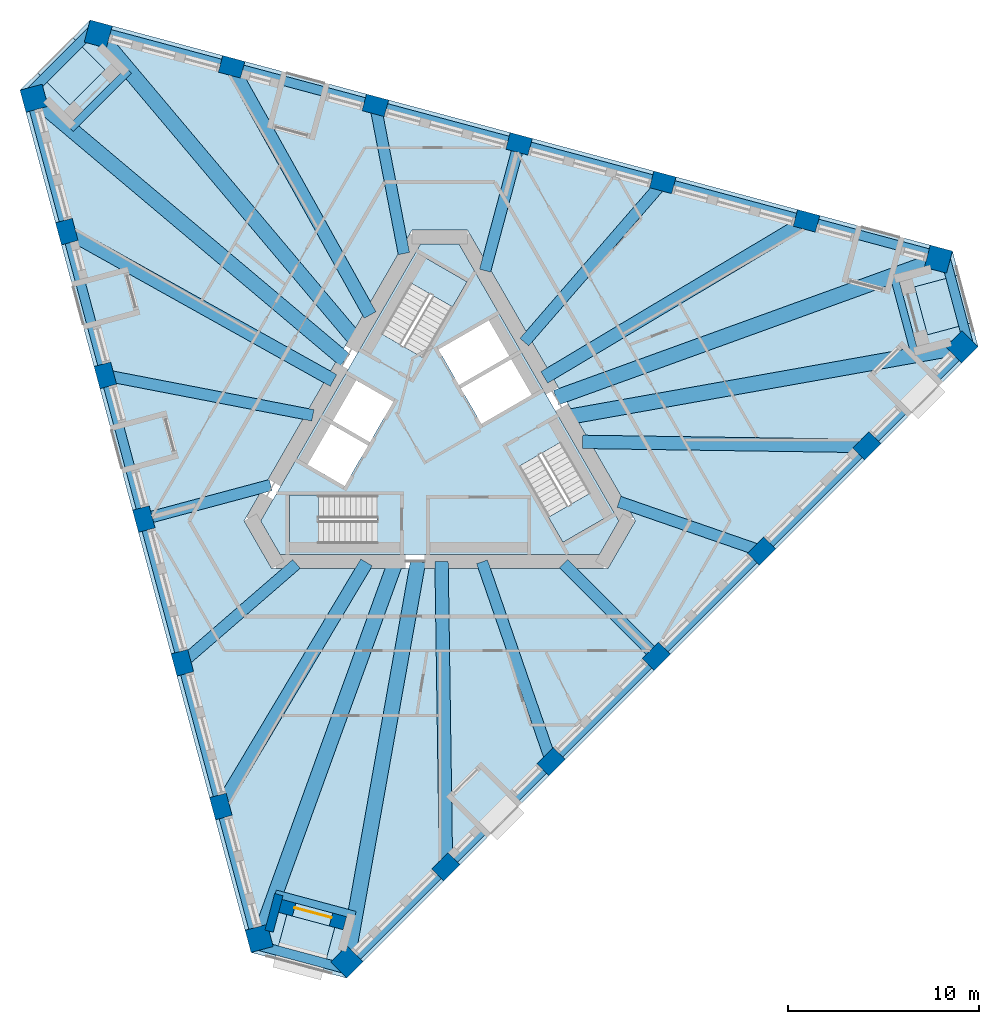
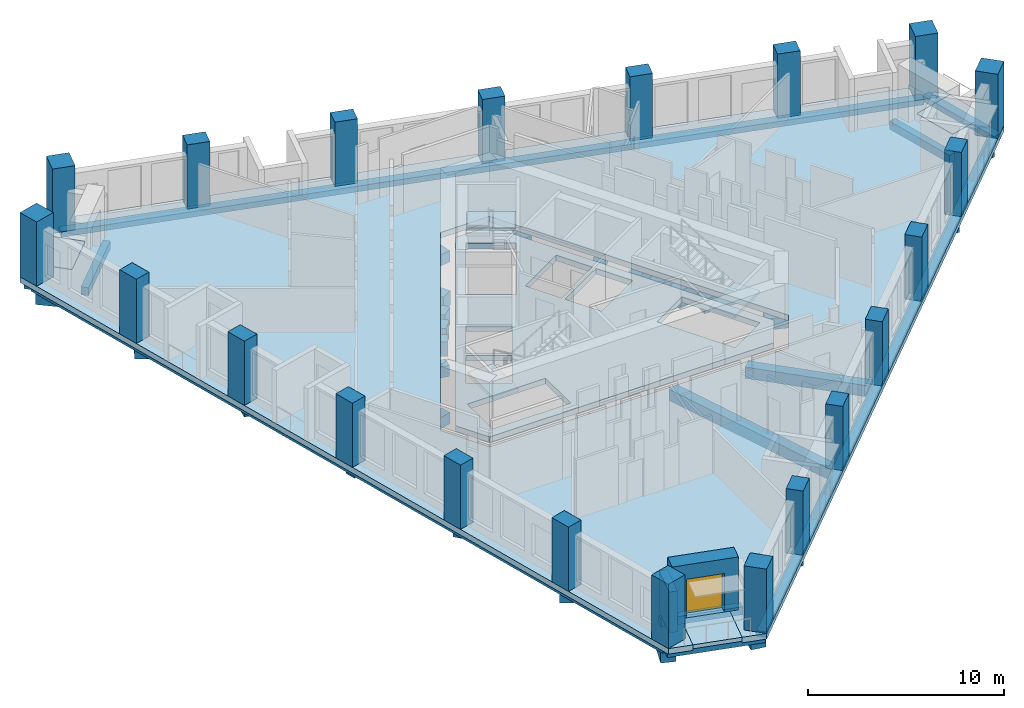
# One storey, part 1 of 13: 30 beams, 21 columns, 8 slabs, 2 walls, 1 door, 1 opening, 3 elements without a shape of their own.
"""IFC4 building model written with IfcOpenShell, lengths in metres."""

from ifc_helpers import new_model, si_unit, direction, frame, frame_2d, origin, origin_2d, place, context, subcontext, project, spatial, polyline, rectangle, outline, extrude, material, layer, layer_set, material_profile, profile_set, type_object, element, fill, aggregate, save


model = new_model("IFC4")

# Units and contexts
model_context = context("Model", 3, precision=1e-05, world=origin(), true_north=direction((0.0, 1.0)))
body_context = subcontext(model_context, "Body", "Model", "MODEL_VIEW")
ifc_project = project(units=[si_unit("LENGTHUNIT", "METRE"), si_unit("AREAUNIT", "SQUARE_METRE"), si_unit("VOLUMEUNIT", "CUBIC_METRE"), si_unit("PLANEANGLEUNIT", "RADIAN"), si_unit("MASSUNIT", "GRAM", prefix="KILO")], contexts=[model_context])

# Site, building, storey
site_placement = place(None, origin())
site = spatial("IfcSite", under=ifc_project, at=site_placement, CompositionType="ELEMENT")
building_placement = place(site_placement, origin())
building = spatial("IfcBuilding", under=site, at=building_placement, Name="Tramontana Tower", CompositionType="ELEMENT")
storey_placement = place(building_placement, frame((0.0, 0.0, 208.0)))
storey = spatial("IfcBuildingStorey", under=building, at=storey_placement, Name="L48", CompositionType="ELEMENT", Elevation=208.0)

# Columns
ifc_material_1 = material(Name="Concrete 55 MPa", Category="concrete")
ifc_material_profile_1 = material_profile(ifc_material_1, rectangle(XDim=1.199951171875, YDim=1.199951171875, at=origin_2d()), Name="Mega column 1200X1200 55 MPa")
ifc_profile_set_1 = profile_set([ifc_material_profile_1], Name="Concrete 55 MPa")
column_type_1 = type_object("IfcColumnType", Name="Mega column 1200X1200 55 MPa", PredefinedType="COLUMN", material=ifc_profile_set_1)
for number, where, z_axis, x_axis, name in (
    (1, (-21.2548828125, 17.89111328125, 0.0), (0.0, 0.0, 1.0), (0.258819045103, -0.965925826289, 0.0), "Mega column C5K1 L48"),
    (2, (-9.461669921875, -26.12158203125, 0.0), (0.0, 0.0, 1.0), (0.258819045103, -0.965925826289, 0.0), "Mega column C5K2 L48"),
    (3, (-4.86669921875, -27.352783203125, 0.0), (0.0, 0.0, 1.0), (0.707106781187, 0.707106781187, 0.0), "Mega column C5K3 L48"),
    (4, (27.352783203125, 4.86669921875, 0.0), (0.0, 0.0, 1.0), (0.707106781187, 0.707106781187, 0.0), "Mega column C5K4 L48"),
    (5, (26.12158203125, 9.461669921875, 0.0), (0.0, 0.0, 1.0), (-0.965925826289, 0.258819045103, 0.0), "Mega column C5K5 L48"),
    (6, (-17.89111328125, 21.2548828125, 0.0), (0.0, 0.0, 1.0), (-0.965925826289, 0.258819045103, 0.0), "Mega column C5K6 L48"),
):
    element("IfcColumn", number, at=place(storey_placement, frame(where, z_axis=z_axis, x_axis=x_axis)), inside=storey, type_object=column_type_1, Name=name, PredefinedType="COLUMN", context=body_context, shape_type="SweptSolid", body=[
        extrude(rectangle(XDim=1.199951171875, YDim=1.199951171875, at=origin_2d()), origin(), (0.0, 0.0, 1.0), 4.0),
    ])
ifc_material_2 = material(Name="Concrete 55 MPa", Category="concrete")
ifc_material_profile_2 = material_profile(ifc_material_2, rectangle(XDim=1.199951171875, YDim=0.89990234375, at=origin_2d()), Name="Pier column 1200X900 55 MPa")
ifc_profile_set_2 = profile_set([ifc_material_profile_2], Name="Concrete 55 MPa")
column_type_2 = type_object("IfcColumnType", Name="Pier column 1200X900 55 MPa", PredefinedType="COLUMN", material=ifc_profile_set_2)
for number, where, z_axis, x_axis, name in (
    (7, (-19.53759765625, 10.9033203125, 0.0), (0.0, 0.0, 1.0), (0.258819045103, -0.965925826289, 0.0), "Pier column C5F01 L48"),
    (8, (-17.5205078125, 3.37451171875, 0.0), (0.0, 0.0, 1.0), (0.258819045103, -0.965925826289, 0.0), "Pier column C5F02 L48"),
    (9, (-15.503173828125, -4.154052734375, 0.0), (0.0, 0.0, 1.0), (0.258819045103, -0.965925826289, 0.0), "Pier column C5F03 L48"),
    (10, (-13.48583984375, -11.6826171875, 0.0), (0.0, 0.0, 1.0), (0.258819045103, -0.965925826289, 0.0), "Pier column C5F04 L48"),
    (11, (-11.468505859375, -19.21142578125, 0.0), (0.0, 0.0, 1.0), (0.258819045103, -0.965925826289, 0.0), "Pier column C5F05 L48"),
    (12, (0.326416015625, -22.371826171875, 0.0), (0.0, 0.0, 1.0), (0.707106781187, 0.707106781187, 0.0), "Pier column C5F06 L48"),
    (13, (5.837646484375, -16.8603515625, 0.0), (0.0, 0.0, 1.0), (0.707106781187, 0.707106781187, 0.0), "Pier column C5F07 L48"),
    (14, (11.34912109375, -11.34912109375, 0.0), (0.0, 0.0, 1.0), (0.707106781187, 0.707106781187, 0.0), "Pier column C5F08 L48"),
    (15, (16.8603515625, -5.837646484375, 0.0), (0.0, 0.0, 1.0), (0.707106781187, 0.707106781187, 0.0), "Pier column C5F09 L48"),
    (16, (22.371826171875, -0.326416015625, 0.0), (0.0, 0.0, 1.0), (0.707106781187, 0.707106781187, 0.0), "Pier column C5F10 L48"),
    (17, (19.21142578125, 11.468505859375, 0.0), (0.0, 0.0, 1.0), (-0.965925826289, 0.258819045103, 0.0), "Pier column C5F11 L48"),
    (18, (11.6826171875, 13.48583984375, 0.0), (0.0, 0.0, 1.0), (-0.965925826289, 0.258819045103, 0.0), "Pier column C5F12 L48"),
    (19, (4.154052734375, 15.503173828125, 0.0), (0.0, 0.0, 1.0), (-0.965925826289, 0.258819045103, 0.0), "Pier column C5F13 L48"),
    (20, (-3.37451171875, 17.5205078125, 0.0), (0.0, 0.0, 1.0), (-0.965925826289, 0.258819045103, 0.0), "Pier column C5F14 L48"),
    (21, (-10.9033203125, 19.53759765625, 0.0), (0.0, 0.0, 1.0), (-0.965925826289, 0.258819045103, 0.0), "Pier column C5F15 L48"),
):
    element("IfcColumn", number, at=place(storey_placement, frame(where, z_axis=z_axis, x_axis=x_axis)), inside=storey, type_object=column_type_2, Name=name, PredefinedType="COLUMN", context=body_context, shape_type="SweptSolid", body=[
        extrude(rectangle(XDim=1.199951171875, YDim=0.89990234375, at=origin_2d()), origin(), (0.0, 0.0, 1.0), 4.0),
    ])

# Beams
ifc_material_3 = material(Name="Concrete 40 MPa", Category="concrete")
ifc_material_profile_3 = material_profile(ifc_material_3, rectangle(XDim=0.5, YDim=0.35009765625, at=origin_2d()), Name="RC EDGE BEAM 500X350 40 MPa")
ifc_profile_set_3 = profile_set([ifc_material_profile_3], Name="Concrete 40 MPa")
beam_type_1 = type_object("IfcBeamType", Name="RC EDGE BEAM 500X350 40 MPa", PredefinedType="SPANDREL", material=ifc_profile_set_3)
beam_1_placement = place(storey_placement, frame((-21.399658203125, 17.852294921875, -0.52490234375), z_axis=(0.25882000186, -0.965925569926, 0.0), x_axis=(0.965925569926, 0.25882000186, 0.0)))
element("IfcBeam", 22, at=beam_1_placement, inside=storey, type_object=beam_type_1, Name="Spandrel beam S0 L48", PredefinedType="SPANDREL", context=body_context, shape_type="SweptSolid", body=[
    extrude(rectangle(XDim=0.5, YDim=0.35009765625, at=origin_2d()), origin(), (0.0, 0.0, 1.0), 45.565185546875),
])
beam_2_placement = place(storey_placement, frame((-4.7607421875, -27.458984375, -0.52490234375), z_axis=(0.707106781187, 0.707106781187, 0.0), x_axis=(-0.707106781187, 0.707106781187, 0.0)))
element("IfcBeam", 23, at=beam_2_placement, inside=storey, type_object=beam_type_1, Name="Spandrel beam S1 L48", PredefinedType="SPANDREL", context=body_context, shape_type="SweptSolid", body=[
    extrude(rectangle(XDim=0.5, YDim=0.35009765625, at=origin_2d()), origin(), (0.0, 0.0, 1.0), 45.565673828125),
])
beam_3_placement = place(storey_placement, frame((26.160400390625, 9.6064453125, -0.52490234375), z_axis=(-0.965925569926, 0.25882000186, 0.0), x_axis=(-0.25882000186, -0.965925569926, 0.0)))
element("IfcBeam", 24, at=beam_3_placement, inside=storey, type_object=beam_type_1, Name="Spandrel beam S2 L48", PredefinedType="SPANDREL", context=body_context, shape_type="SweptSolid", body=[
    extrude(rectangle(XDim=0.5, YDim=0.35009765625, at=origin_2d()), origin(), (0.0, 0.0, 1.0), 45.565185546875),
])
beam_4_placement = place(storey_placement, frame((-17.997314453125, 21.67138671875, -0.52490234375), z_axis=(-0.707106781187, -0.707106781187, 0.0), x_axis=(0.707106781187, -0.707106781187, 0.0)))
element("IfcBeam", 25, at=beam_4_placement, inside=storey, type_object=beam_type_1, Name="Spandrel beam K0 L48", PredefinedType="SPANDREL", context=body_context, shape_type="SweptSolid", body=[
    extrude(rectangle(XDim=0.5, YDim=0.35009765625, at=origin_2d()), origin(), (0.0, 0.0, 1.0), 5.19580078125),
])
for number, where, z_axis, x_axis, name in (
    (26, (-9.769287109375, -26.421875, -0.52490234375), (0.965931693355, -0.258797147923, 0.0), (0.258797147923, 0.965931693355, 0.0), "Spandrel beam K1 L48"),
    (27, (27.7666015625, 4.750244140625, -0.52490234375), (-0.258797147923, 0.965931693355, 0.0), (-0.965931693355, -0.258797147923, 0.0), "Spandrel beam K2 L48"),
):
    element("IfcBeam", number, at=place(storey_placement, frame(where, z_axis=z_axis, x_axis=x_axis)), inside=storey, type_object=beam_type_1, Name=name, PredefinedType="SPANDREL", context=body_context, shape_type="SweptSolid", body=[
        extrude(rectangle(XDim=0.5, YDim=0.35009765625, at=origin_2d()), origin(), (0.0, 0.0, 1.0), 5.196044921875),
    ])
ifc_material_4 = material(Name="Concrete 40 MPa", Category="concrete")
ifc_material_profile_4 = material_profile(ifc_material_4, rectangle(XDim=0.60009765625, YDim=0.699951171875, at=origin_2d()), Name="RC GIRDER 600X700 40 MPa")
ifc_profile_set_4 = profile_set([ifc_material_profile_4], Name="Concrete 40 MPa")
beam_type_2 = type_object("IfcBeamType", Name="RC GIRDER 600X700 40 MPa", PredefinedType="BEAM", material=ifc_profile_set_4)
beam_5_placement = place(storey_placement, frame((-17.5205078125, 3.37451171875, -0.699951171875), z_axis=(0.981952314937, -0.189128663056, 0.0), x_axis=(0.189128663056, 0.981952314937, 0.0)))
element("IfcBeam", 28, at=beam_5_placement, inside=storey, type_object=beam_type_2, Name="Radial girder C5F02 L48", PredefinedType="BEAM", context=body_context, shape_type="SweptSolid", body=[
    extrude(rectangle(XDim=0.60009765625, YDim=0.699951171875, at=origin_2d()), origin(), (0.0, 0.0, 1.0), 11.074462890625),
])
beam_6_placement = place(storey_placement, frame((-15.503173828125, -4.154052734375, -0.699951171875), z_axis=(0.96592381373, 0.258826555959, 0.0), x_axis=(-0.258826555959, 0.96592381373, 0.0)))
element("IfcBeam", 29, at=beam_6_placement, inside=storey, type_object=beam_type_2, Name="Radial girder C5F03 L48", PredefinedType="BEAM", context=body_context, shape_type="SweptSolid", body=[
    extrude(rectangle(XDim=0.60009765625, YDim=0.699951171875, at=origin_2d()), origin(), (0.0, 0.0, 1.0), 6.879150390625),
])
beam_7_placement = place(storey_placement, frame((-13.48583984375, -11.6826171875, -0.699951171875), z_axis=(0.755833701345, 0.654763633619, 0.0), x_axis=(-0.654763633619, 0.755833701345, 0.0)))
element("IfcBeam", 30, at=beam_7_placement, inside=storey, type_object=beam_type_2, Name="Radial girder C5F04 L48", PredefinedType="BEAM", context=body_context, shape_type="SweptSolid", body=[
    extrude(rectangle(XDim=0.60009765625, YDim=0.699951171875, at=origin_2d()), origin(), (0.0, 0.0, 1.0), 7.908447265625),
])
beam_8_placement = place(storey_placement, frame((5.837646484375, -16.8603515625, -0.699951171875), z_axis=(-0.327178709265, 0.944962481903, 0.0), x_axis=(-0.944962481903, -0.327178709265, 0.0)))
element("IfcBeam", 31, at=beam_8_placement, inside=storey, type_object=beam_type_2, Name="Radial girder C5F07 L48", PredefinedType="BEAM", context=body_context, shape_type="SweptSolid", body=[
    extrude(rectangle(XDim=0.60009765625, YDim=0.699951171875, at=origin_2d()), origin(), (0.0, 0.0, 1.0), 11.074462890625),
])
beam_9_placement = place(storey_placement, frame((11.34912109375, -11.34912109375, -0.699951171875), z_axis=(-0.707106781187, 0.707106781187, 0.0), x_axis=(-0.707106781187, -0.707106781187, 0.0)))
element("IfcBeam", 32, at=beam_9_placement, inside=storey, type_object=beam_type_2, Name="Radial girder C5F08 L48", PredefinedType="BEAM", context=body_context, shape_type="SweptSolid", body=[
    extrude(rectangle(XDim=0.60009765625, YDim=0.699951171875, at=origin_2d()), origin(), (0.0, 0.0, 1.0), 6.879150390625),
])
beam_10_placement = place(storey_placement, frame((16.8603515625, -5.837646484375, -0.699951171875), z_axis=(-0.944964783829, 0.327172060732, 0.0), x_axis=(-0.327172060732, -0.944964783829, 0.0)))
element("IfcBeam", 33, at=beam_10_placement, inside=storey, type_object=beam_type_2, Name="Radial girder C5F09 L48", PredefinedType="BEAM", context=body_context, shape_type="SweptSolid", body=[
    extrude(rectangle(XDim=0.60009765625, YDim=0.699951171875, at=origin_2d()), origin(), (0.0, 0.0, 1.0), 7.908447265625),
])
beam_11_placement = place(storey_placement, frame((11.6826171875, 13.48583984375, -0.699951171875), z_axis=(-0.654758463957, -0.755838179689, 0.0), x_axis=(0.755838179689, -0.654758463957, 0.0)))
element("IfcBeam", 34, at=beam_11_placement, inside=storey, type_object=beam_type_2, Name="Radial girder C5F12 L48", PredefinedType="BEAM", context=body_context, shape_type="SweptSolid", body=[
    extrude(rectangle(XDim=0.60009765625, YDim=0.699951171875, at=origin_2d()), origin(), (0.0, 0.0, 1.0), 11.07421875),
])
beam_12_placement = place(storey_placement, frame((4.154052734375, 15.503173828125, -0.699951171875), z_axis=(-0.258826555959, -0.96592381373, 0.0), x_axis=(0.96592381373, -0.258826555959, 0.0)))
element("IfcBeam", 35, at=beam_12_placement, inside=storey, type_object=beam_type_2, Name="Radial girder C5F13 L48", PredefinedType="BEAM", context=body_context, shape_type="SweptSolid", body=[
    extrude(rectangle(XDim=0.60009765625, YDim=0.699951171875, at=origin_2d()), origin(), (0.0, 0.0, 1.0), 6.879150390625),
])
beam_13_placement = place(storey_placement, frame((-3.37451171875, 17.5205078125, -0.699951171875), z_axis=(0.189111876718, -0.981955547917, 0.0), x_axis=(0.981955547917, 0.189111876718, 0.0)))
element("IfcBeam", 36, at=beam_13_placement, inside=storey, type_object=beam_type_2, Name="Radial girder C5F14 L48", PredefinedType="BEAM", context=body_context, shape_type="SweptSolid", body=[
    extrude(rectangle(XDim=0.60009765625, YDim=0.699951171875, at=origin_2d()), origin(), (0.0, 0.0, 1.0), 7.90869140625),
])
ifc_material_5 = material(Name="Concrete 40 MPa", Category="concrete")
ifc_material_profile_5 = material_profile(ifc_material_5, rectangle(XDim=0.699951171875, YDim=0.89990234375, at=origin_2d()), Name="RC GIRDER 700X900 40 MPa")
ifc_profile_set_5 = profile_set([ifc_material_profile_5], Name="Concrete 40 MPa")
beam_type_3 = type_object("IfcBeamType", Name="RC GIRDER 700X900 40 MPa", PredefinedType="BEAM", material=ifc_profile_set_5)
beam_14_placement = place(storey_placement, frame((-19.53759765625, 10.9033203125, -0.800048828125), z_axis=(0.873222771741, -0.487321239956, 0.0), x_axis=(0.487321239956, 0.873222771741, 0.0)))
element("IfcBeam", 37, at=beam_14_placement, inside=storey, type_object=beam_type_3, Name="Radial girder C5F01 L48", PredefinedType="BEAM", context=body_context, shape_type="SweptSolid", body=[
    extrude(rectangle(XDim=0.699951171875, YDim=0.89990234375, at=origin_2d()), origin(), (0.0, 0.0, 1.0), 15.99853515625),
])
beam_15_placement = place(storey_placement, frame((-11.468505859375, -19.211181640625, -0.800048828125), z_axis=(0.512577256937, 0.858641109935, 0.0), x_axis=(-0.858641109935, 0.512577256937, 0.0)))
element("IfcBeam", 38, at=beam_15_placement, inside=storey, type_object=beam_type_3, Name="Radial girder C5F05 L48", PredefinedType="BEAM", context=body_context, shape_type="SweptSolid", body=[
    extrude(rectangle(XDim=0.699951171875, YDim=0.89990234375, at=origin_2d()), origin(), (0.0, 0.0, 1.0), 14.8876953125),
])
beam_16_placement = place(storey_placement, frame((0.326416015625, -22.371826171875, -0.800048828125), z_axis=(-0.014588743818, 0.999893578614, 0.0), x_axis=(-0.999893578614, -0.014588743818, 0.0)))
element("IfcBeam", 39, at=beam_16_placement, inside=storey, type_object=beam_type_3, Name="Radial girder C5F06 L48", PredefinedType="BEAM", context=body_context, shape_type="SweptSolid", body=[
    extrude(rectangle(XDim=0.699951171875, YDim=0.89990234375, at=origin_2d()), origin(), (0.0, 0.0, 1.0), 15.99853515625),
])
beam_17_placement = place(storey_placement, frame((22.371826171875, -0.326416015625, -0.800048828125), z_axis=(-0.999893489786, 0.01459483068, 0.0), x_axis=(-0.01459483068, -0.999893489786, 0.0)))
element("IfcBeam", 40, at=beam_17_placement, inside=storey, type_object=beam_type_3, Name="Radial girder C5F10 L48", PredefinedType="BEAM", context=body_context, shape_type="SweptSolid", body=[
    extrude(rectangle(XDim=0.699951171875, YDim=0.89990234375, at=origin_2d()), origin(), (0.0, 0.0, 1.0), 14.8876953125),
])
beam_18_placement = place(storey_placement, frame((19.211181640625, 11.468505859375, -0.800048828125), z_axis=(-0.858639355408, -0.512580196012, 0.0), x_axis=(0.512580196012, -0.858639355408, 0.0)))
element("IfcBeam", 41, at=beam_18_placement, inside=storey, type_object=beam_type_3, Name="Radial girder C5F11 L48", PredefinedType="BEAM", context=body_context, shape_type="SweptSolid", body=[
    extrude(rectangle(XDim=0.699951171875, YDim=0.89990234375, at=origin_2d()), origin(), (0.0, 0.0, 1.0), 15.998291015625),
])
beam_19_placement = place(storey_placement, frame((-10.9033203125, 19.53759765625, -0.800048828125), z_axis=(0.487317016809, -0.873225128548, 0.0), x_axis=(0.873225128548, 0.487317016809, 0.0)))
element("IfcBeam", 42, at=beam_19_placement, inside=storey, type_object=beam_type_3, Name="Radial girder C5F15 L48", PredefinedType="BEAM", context=body_context, shape_type="SweptSolid", body=[
    extrude(rectangle(XDim=0.699951171875, YDim=0.89990234375, at=origin_2d()), origin(), (0.0, 0.0, 1.0), 14.887939453125),
])
ifc_material_6 = material(Name="Concrete 40 MPa", Category="concrete")
ifc_material_profile_6 = material_profile(ifc_material_6, rectangle(XDim=0.800048828125, YDim=1.10009765625, at=origin_2d()), Name="RC GIRDER 800X1100 40 MPa")
ifc_profile_set_6 = profile_set([ifc_material_profile_6], Name="Concrete 40 MPa")
beam_type_4 = type_object("IfcBeamType", Name="RC GIRDER 800X1100 40 MPa", PredefinedType="BEAM", material=ifc_profile_set_6)
beam_20_placement = place(storey_placement, frame((-21.2548828125, 17.89111328125, -0.89990234375), z_axis=(0.765048789766, -0.643972320273, 0.0), x_axis=(0.643972320273, 0.765048789766, 0.0)))
element("IfcBeam", 43, at=beam_20_placement, inside=storey, type_object=beam_type_4, Name="Radial girder C5K1 L48", PredefinedType="BEAM", context=body_context, shape_type="SweptSolid", body=[
    extrude(rectangle(XDim=0.800048828125, YDim=1.10009765625, at=origin_2d()), origin(), (0.0, 0.0, 1.0), 21.301513671875),
])
beam_21_placement = place(storey_placement, frame((-9.461669921875, -26.12158203125, -0.89990234375), z_axis=(0.340569160695, 0.94021946735, 0.0), x_axis=(-0.94021946735, 0.340569160695, 0.0)))
element("IfcBeam", 44, at=beam_21_placement, inside=storey, type_object=beam_type_4, Name="Radial girder C5K2 L48", PredefinedType="BEAM", context=body_context, shape_type="SweptSolid", body=[
    extrude(rectangle(XDim=0.800048828125, YDim=1.10009765625, at=origin_2d()), origin(), (0.0, 0.0, 1.0), 20.978271484375),
])
beam_22_placement = place(storey_placement, frame((-4.86669921875, -27.352783203125, -0.89990234375), z_axis=(0.175174555483, 0.984537391424, 0.0), x_axis=(-0.984537391424, 0.175174555483, 0.0)))
element("IfcBeam", 45, at=beam_22_placement, inside=storey, type_object=beam_type_4, Name="Radial girder C5K3 L48", PredefinedType="BEAM", context=body_context, shape_type="SweptSolid", body=[
    extrude(rectangle(XDim=0.800048828125, YDim=1.10009765625, at=origin_2d()), origin(), (0.0, 0.0, 1.0), 21.30126953125),
])
beam_23_placement = place(storey_placement, frame((27.352783203125, 4.86669921875, -0.89990234375), z_axis=(-0.984537718073, -0.175172719597, 0.0), x_axis=(0.175172719597, -0.984537718073, 0.0)))
element("IfcBeam", 46, at=beam_23_placement, inside=storey, type_object=beam_type_4, Name="Radial girder C5K4 L48", PredefinedType="BEAM", context=body_context, shape_type="SweptSolid", body=[
    extrude(rectangle(XDim=0.800048828125, YDim=1.10009765625, at=origin_2d()), origin(), (0.0, 0.0, 1.0), 20.978271484375),
])
beam_24_placement = place(storey_placement, frame((26.12158203125, 9.461669921875, -0.89990234375), z_axis=(-0.940223018737, -0.340559356113, 0.0), x_axis=(0.340559356113, -0.940223018737, 0.0)))
element("IfcBeam", 47, at=beam_24_placement, inside=storey, type_object=beam_type_4, Name="Radial girder C5K5 L48", PredefinedType="BEAM", context=body_context, shape_type="SweptSolid", body=[
    extrude(rectangle(XDim=0.800048828125, YDim=1.10009765625, at=origin_2d()), origin(), (0.0, 0.0, 1.0), 21.301513671875),
])
beam_25_placement = place(storey_placement, frame((-17.89111328125, 21.2548828125, -0.89990234375), z_axis=(0.643976971362, -0.765044874733, 0.0), x_axis=(0.765044874733, 0.643976971362, 0.0)))
element("IfcBeam", 48, at=beam_25_placement, inside=storey, type_object=beam_type_4, Name="Radial girder C5K6 L48", PredefinedType="BEAM", context=body_context, shape_type="SweptSolid", body=[
    extrude(rectangle(XDim=0.800048828125, YDim=1.10009765625, at=origin_2d()), origin(), (0.0, 0.0, 1.0), 20.978271484375),
])
ifc_material_7 = material(Name="Concrete 40 MPa", Category="concrete")
ifc_material_profile_7 = material_profile(ifc_material_7, rectangle(XDim=0.39990234375, YDim=0.5, at=origin_2d()), Name="RC TRIM BEAM 400X500 40 MPa")
ifc_profile_set_7 = profile_set([ifc_material_profile_7], Name="Concrete 40 MPa")
beam_type_5 = type_object("IfcBeamType", Name="RC TRIM BEAM 400X500 40 MPa", PredefinedType="JOIST", material=ifc_profile_set_7)
beam_26_placement = place(storey_placement, frame((-16.2880859375, 19.35009765625, -0.60009765625), z_axis=(-0.707106781187, -0.707106781187, 0.0), x_axis=(0.707106781187, -0.707106781187, 0.0)))
element("IfcBeam", 49, at=beam_26_placement, inside=storey, type_object=beam_type_5, Name="Trimmer beam K0 L48", PredefinedType="JOIST", context=body_context, shape_type="SweptSolid", body=[
    extrude(rectangle(XDim=0.39990234375, YDim=0.5, at=origin_2d()), origin(), (0.0, 0.0, 1.0), 4.330322265625),
])
for number, where, z_axis, x_axis, name in (
    (50, (-8.61376953125, -23.781005859375, -0.60009765625), (0.965926410656, -0.258816864207, 0.0), (0.258816864207, 0.965926410656, 0.0), "Trimmer beam K1 L48"),
    (51, (24.90185546875, 4.4306640625, -0.60009765625), (-0.258816864207, 0.965926410656, 0.0), (-0.965926410656, -0.258816864207, 0.0), "Trimmer beam K2 L48"),
):
    element("IfcBeam", number, at=place(storey_placement, frame(where, z_axis=z_axis, x_axis=x_axis)), inside=storey, type_object=beam_type_5, Name=name, PredefinedType="JOIST", context=body_context, shape_type="SweptSolid", body=[
        extrude(rectangle(XDim=0.39990234375, YDim=0.5, at=origin_2d()), origin(), (0.0, 0.0, 1.0), 4.33056640625),
    ])

# Slabs
ifc_material_8 = material(Name="Precast concrete 50 MPa", Category="concrete")
ifc_layer_1 = layer(ifc_material_8, 0.25)
ifc_layer_set_1 = layer_set([ifc_layer_1], Name="LT1 Loggia floor tray 250")
slab_type_1 = type_object("IfcSlabType", Name="LT1 Loggia floor tray 250", PredefinedType="FLOOR", material=ifc_layer_set_1)
slab_1_placement = place(storey_placement, frame((0.0, 0.0, -0.25)))
element("IfcSlab", 52, at=slab_1_placement, inside=storey, type_object=slab_type_1, Name="Corner loggia floor L48 K50", PredefinedType="FLOOR", context=body_context, shape_type="SweptSolid", body=[
    extrude(outline(polyline([(-19.2333984375, 21.07177734375), (-17.5361328125, 19.374755859375), (-19.374755859375, 17.5361328125), (-21.07177734375, 19.2333984375), (-19.2333984375, 21.07177734375)])), origin(), (0.0, 0.0, 1.0), 0.25),
])
slab_2_placement = place(storey_placement, frame((0.0, 0.0, -0.25)))
element("IfcSlab", 53, at=slab_2_placement, inside=storey, type_object=slab_type_1, Name="Corner loggia floor L48 K51", PredefinedType="FLOOR", context=body_context, shape_type="SweptSolid", body=[
    extrude(outline(polyline([(-8.632080078125, -27.1923828125), (-8.010986328125, -24.874267578125), (-5.49951171875, -25.547119140625), (-6.12060546875, -27.865234375), (-8.632080078125, -27.1923828125)])), origin(), (0.0, 0.0, 1.0), 0.25),
])
slab_3_placement = place(storey_placement, frame((0.0, 0.0, -0.25)))
element("IfcSlab", 54, at=slab_3_placement, inside=storey, type_object=slab_type_1, Name="Corner loggia floor L48 K52", PredefinedType="FLOOR", context=body_context, shape_type="SweptSolid", body=[
    extrude(outline(polyline([(27.865234375, 6.12060546875), (25.547119140625, 5.49951171875), (24.874267578125, 8.010986328125), (27.1923828125, 8.632080078125), (27.865234375, 6.12060546875)])), origin(), (0.0, 0.0, 1.0), 0.25),
])
ifc_material_9 = material(Name="Concrete 40 MPa", Category="concrete")
ifc_layer_2 = layer(ifc_material_9, 0.35009765625)
ifc_layer_set_2 = layer_set([ifc_layer_2], Name="PT FLAT SLAB 350 40 MPa")
slab_type_2 = type_object("IfcSlabType", Name="PT FLAT SLAB 350 40 MPa", PredefinedType="FLOOR", material=ifc_layer_set_2)
slab_4_placement = place(storey_placement, frame((0.0, 0.0, -0.35009765625)))
element("IfcSlab", 55, at=slab_4_placement, inside=storey, type_object=slab_type_2, Name="Floor slab L48", PredefinedType="FLOOR", context=body_context, shape_type="SweptSolid", body=[
    extrude(outline(polyline([(27.1923828125, 8.632080078125), (24.874267578125, 8.010986328125), (25.547119140625, 5.49951171875), (27.865478515625, 6.12060546875), (28.201416015625, 4.86669921875), (-4.86669921875, -28.201416015625), (-6.12060546875, -27.865478515625), (-5.49951171875, -25.547119140625), (-8.010986328125, -24.874267578125), (-8.632080078125, -27.1923828125), (-9.885986328125, -26.8564453125), (-21.98974609375, 18.3154296875), (-21.07177734375, 19.2333984375), (-19.374755859375, 17.5361328125), (-17.5361328125, 19.374755859375), (-19.2333984375, 21.07177734375), (-18.3154296875, 21.98974609375), (26.8564453125, 9.885986328125), (27.1923828125, 8.632080078125)]), holes=[polyline([(-10.248046875, -4.25), (-8.8046875, -6.75), (8.8046875, -6.75), (10.248046875, -4.25), (1.443359375, 11.0), (-1.443359375, 11.0), (-10.248046875, -4.25)])]), origin(), (0.0, 0.0, 1.0), 0.35009765625),
])
slab_5_placement = place(storey_placement, frame((0.0, 0.0, -0.35009765625)))
element("IfcSlab", 56, at=slab_5_placement, inside=storey, type_object=slab_type_2, Name="Core floor slab L48", PredefinedType="FLOOR", context=body_context, shape_type="SweptSolid", body=[
    extrude(outline(polyline([(9.3818359375, -4.25), (8.37158203125, -6.0), (-8.37158203125, -6.0), (-9.3818359375, -4.25), (-1.010498046875, 10.25), (1.010498046875, 10.25), (9.3818359375, -4.25)]), holes=[polyline([(8.659912109375, -4.099365234375), (6.35986328125, -0.115478515625), (4.151611328125, -1.390625), (6.451416015625, -5.374267578125), (8.659912109375, -4.099365234375)]), polyline([(3.829833984375, 4.2666015625), (1.101806640625, 2.69140625), (2.177001953125, 0.82958984375), (4.90478515625, 2.404541015625), (3.829833984375, 4.2666015625)]), polyline([(2.65478515625, 6.3017578125), (-0.072998046875, 4.726806640625), (1.001953125, 2.86474609375), (3.729736328125, 4.439697265625), (2.65478515625, 6.3017578125)]), polyline([(-0.77978515625, 9.54931640625), (-3.079833984375, 5.565673828125), (-0.87158203125, 4.29052734375), (1.428466796875, 8.2744140625), (-0.77978515625, 9.54931640625)]), polyline([(-5.689697265625, 1.044921875), (-3.65478515625, -0.130126953125), (-2.4296875, 1.99169921875), (-4.46484375, 3.166748046875), (-5.689697265625, 1.044921875)]), polyline([(-3.280029296875, -5.449951171875), (-3.280029296875, -2.89990234375), (-7.8798828125, -2.89990234375), (-7.8798828125, -5.449951171875), (-3.280029296875, -5.449951171875)]), polyline([(-7.014892578125, -1.25), (-4.979736328125, -2.425048828125), (-3.754638671875, -0.30322265625), (-5.789794921875, 0.87158203125), (-7.014892578125, -1.25)])]), origin(), (0.0, 0.0, 1.0), 0.35009765625),
])

# Stair, slab
ifc_material_10 = material(Name="Concrete 40 MPa", Category="concrete")
stair_type = type_object("IfcStairType", Name="EXIT STAIR 24 RISERS", PredefinedType="HALF_TURN_STAIR", material=ifc_material_10)
stair_1_placement = place(storey_placement, origin())
stair_1 = element("IfcStair", 57, at=stair_1_placement, inside=storey, type_object=stair_type, Name="L48 Exit stair ST1", PredefinedType="HALF_TURN_STAIR")
ifc_material_11 = material(Name="Concrete 40 MPa", Category="concrete")
ifc_layer_3 = layer(ifc_material_11, 0.199951171875)
ifc_layer_set_3 = layer_set([ifc_layer_3], Name="STAIR LANDING 200")
slab_type_3 = type_object("IfcSlabType", Name="STAIR LANDING 200", PredefinedType="LANDING", material=ifc_layer_set_3)
slab_6_placement = place(storey_placement, frame((0.0, 0.0, 1.800048828125)))
slab_6 = element("IfcSlab", 58, at=slab_6_placement, type_object=slab_type_3, Name="ST1 landing 1", PredefinedType="LANDING", context=body_context, shape_type="SweptSolid", body=[
    extrude(outline(polyline([(0.66845703125, 6.9580078125), (1.428466796875, 8.274169921875), (-0.77978515625, 9.54931640625), (-1.539794921875, 8.23291015625), (0.66845703125, 6.9580078125)])), origin(), (0.0, 0.0, 1.0), 0.199951171875),
])
aggregate(stair_1, [slab_6])

stair_2_placement = place(storey_placement, origin())
stair_2 = element("IfcStair", 59, at=stair_2_placement, inside=storey, type_object=stair_type, Name="L48 Exit stair ST2", PredefinedType="HALF_TURN_STAIR")
slab_7_placement = place(storey_placement, frame((0.0, 0.0, 1.800048828125)))
slab_7 = element("IfcSlab", 60, at=slab_7_placement, type_object=slab_type_3, Name="ST2 landing 1", PredefinedType="LANDING", context=body_context, shape_type="SweptSolid", body=[
    extrude(outline(polyline([(-6.360107421875, -2.89990234375), (-7.8798828125, -2.89990234375), (-7.8798828125, -5.449951171875), (-6.360107421875, -5.449951171875), (-6.360107421875, -2.89990234375)])), origin(), (0.0, 0.0, 1.0), 0.199951171875),
])
aggregate(stair_2, [slab_7])

stair_3_placement = place(storey_placement, origin())
stair_3 = element("IfcStair", 61, at=stair_3_placement, inside=storey, type_object=stair_type, Name="L48 Exit stair ST3", PredefinedType="HALF_TURN_STAIR")
slab_8_placement = place(storey_placement, frame((0.0, 0.0, 1.800048828125)))
slab_8 = element("IfcSlab", 62, at=slab_8_placement, type_object=slab_type_3, Name="ST3 landing 1", PredefinedType="LANDING", context=body_context, shape_type="SweptSolid", body=[
    extrude(outline(polyline([(5.69140625, -4.057861328125), (6.451416015625, -5.374267578125), (8.659912109375, -4.099365234375), (7.89990234375, -2.782958984375), (5.69140625, -4.057861328125)])), origin(), (0.0, 0.0, 1.0), 0.199951171875),
])
aggregate(stair_3, [slab_8])

# Wall
ifc_material_12 = material(Name="Precast concrete 60 MPa", Category="concrete")
ifc_layer_4 = layer(ifc_material_12, 0.449951171875)
ifc_layer_set_4 = layer_set([ifc_layer_4], Name="Precast concrete 60 MPa, 450 mm")
wall_type_1 = type_object("IfcWallType", Name="EW1 Stone-faced precast wall 450", PredefinedType="SOLIDWALL", material=ifc_layer_set_4)
wall_1_placement = place(storey_placement, frame((-8.942138671875, -25.741943359375, 0.0), z_axis=(0.0, 0.0, 1.0), x_axis=(0.258783354109, 0.965935388955, 0.0)))
element("IfcWall", 63, at=wall_1_placement, inside=storey, type_object=wall_type_1, Name="Corner loggia side wall L48 K51r", PredefinedType="SOLIDWALL", context=body_context, shape_type="SweptSolid", body=[
    extrude(rectangle(XDim=1.979248046875, YDim=0.449951171875, at=frame_2d((0.98974609375, 0.0))), origin(), (0.0, 0.0, 1.0), 2.550048828125),
])

# Wall, opening, door
ifc_material_13 = material(Name="Precast concrete 60 MPa", Category="concrete")
ifc_layer_5 = layer(ifc_material_13, 0.89990234375)
ifc_layer_set_5 = layer_set([ifc_layer_5], Name="EW2 Stone-faced corner loggia wall 900")
wall_type_2 = type_object("IfcWallType", Name="EW2 Stone-faced corner loggia wall 900", PredefinedType="SOLIDWALL", material=ifc_layer_set_5)
wall_2_placement = place(storey_placement, frame((-4.9482421875, -25.22900390625, 0.0), z_axis=(0.0, 0.0, 1.0), x_axis=(-0.965918160473, 0.258847652622, 0.0)))
wall_2 = element("IfcWall", 64, at=wall_2_placement, inside=storey, type_object=wall_type_2, Name="Corner loggia wall L48 K51", PredefinedType="SOLIDWALL", context=body_context, shape_type="SweptSolid", body=[
    extrude(rectangle(XDim=3.500244140625, YDim=0.89990234375, at=frame_2d((1.75, 0.0))), origin(), (0.0, 0.0, 1.0), 3.300048828125),
])
opening_placement = place(wall_2_placement, frame((0.75, 0.0, 0.0)))
opening = element("IfcOpeningElement", 65, at=opening_placement, cuts=wall_2, Name="Opening BD-51C", PredefinedType="OPENING", context=body_context, shape_type="SweptSolid", body=[
    extrude(rectangle(XDim=2.0, YDim=2.39990234375, at=frame_2d((1.0, 1.199951171875))), frame((0.0, 0.4599609375, 0.0), z_axis=(0.0, -1.0, 0.0), x_axis=(1.0, 0.0, 0.0)), (0.0, 0.0, 1.0), 0.919921875),
])
ifc_material_14 = material(Name="Aluminum frame, double glazing unit", Category="aluminium")
door_type = type_object("IfcDoorType", Name="BC1 Sliding door 2 x 2.4", OperationType="SLIDING_TO_LEFT", PredefinedType="DOOR", material=ifc_material_14)
door_placement = place(opening_placement, origin())
door = element("IfcDoor", 66, at=door_placement, inside=storey, type_object=door_type, Name="Corner loggia door L48 K51", OperationType="SLIDING_TO_LEFT", OverallHeight=2.39990234375, OverallWidth=2.0, PredefinedType="DOOR", context=body_context, shape_type="SweptSolid", body=[
    extrude(rectangle(XDim=2.0, YDim=2.39990234375, at=frame_2d((1.0, 1.199951171875))), frame((0.0, 0.02490234375, 0.0), z_axis=(0.0, -1.0, 0.0), x_axis=(1.0, 0.0, 0.0)), (0.0, 0.0, 1.0), 0.050048828125),
])
fill(opening, door)

save(model, "model.ifc")
